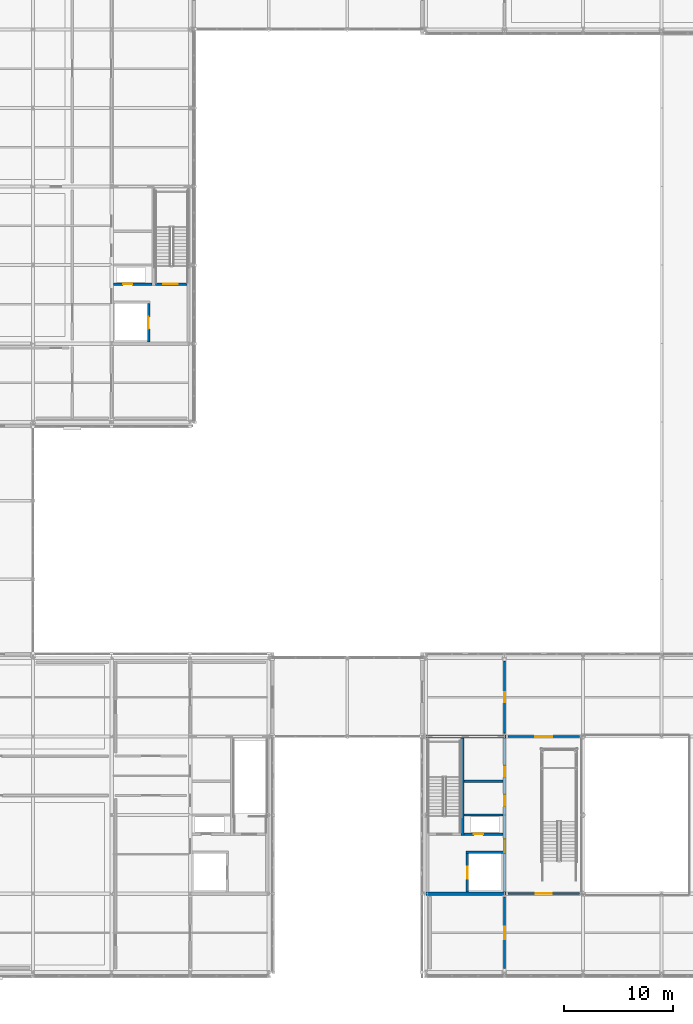
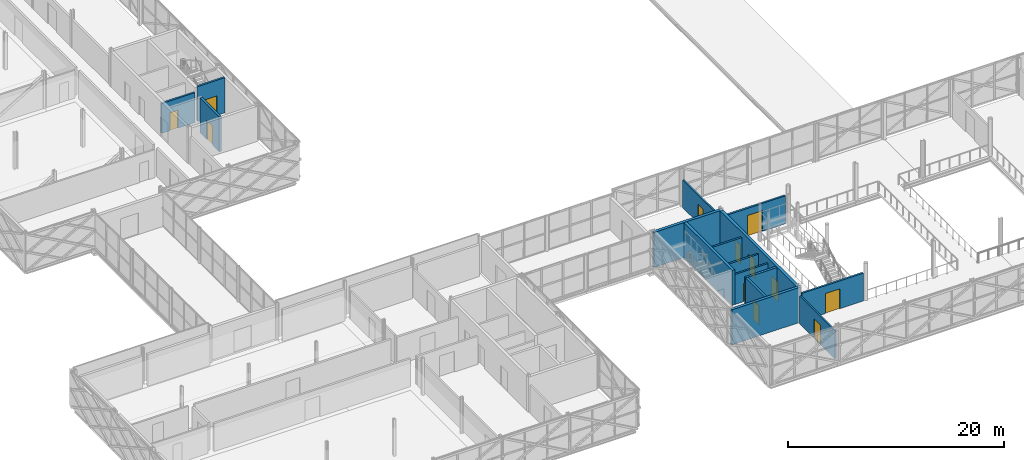
# One storey, part 103 of 126: 16 walls, 12 doors, 12 openings.
"""IFC4 building model written with IfcOpenShell, lengths in metres."""

from ifc_helpers import new_model, si_unit, direction, frame, frame_2d, origin, place, context, subcontext, project, spatial, rectangle, extrude, material, layer, layer_set, type_object, element, fill, save


model = new_model("IFC4")

# Units and contexts
model_context = context("Model", 3, precision=1e-05, world=origin(), true_north=direction((0.0, 1.0)))
body_context = subcontext(model_context, "Body", "Model", "MODEL_VIEW")
ifc_project = project(units=[si_unit("LENGTHUNIT", "METRE"), si_unit("AREAUNIT", "SQUARE_METRE"), si_unit("VOLUMEUNIT", "CUBIC_METRE"), si_unit("PLANEANGLEUNIT", "RADIAN"), si_unit("MASSUNIT", "GRAM", prefix="KILO")], contexts=[model_context])

# Site, building, storey
site_placement = place(None, origin())
site = spatial("IfcSite", under=ifc_project, at=site_placement, CompositionType="ELEMENT")
building_placement = place(site_placement, origin())
building = spatial("IfcBuilding", under=site, at=building_placement, Name="Zlatovets Crest Museum", CompositionType="ELEMENT")
storey_placement = place(building_placement, frame((0.0, 0.0, 8.699951171875)))
storey = spatial("IfcBuildingStorey", under=building, at=storey_placement, Name="L02", CompositionType="ELEMENT", Elevation=8.699951171875)

# Walls
ifc_material_1 = material(Name="Concrete C35/45", Category="concrete")
ifc_layer_1 = layer(ifc_material_1, 0.300048828125)
ifc_layer_set_1 = layer_set([ifc_layer_1], Name="Concrete C35/45")
wall_type_1 = type_object("IfcWallType", Name="CoreWall_SW01", PredefinedType="SHEAR", material=ifc_layer_set_1)
for number, where, z_axis, x_axis, name in (
    (1, (57.60009765625, 7.199951171875, 0.0), (0.0, 0.0, 1.0), (1.0, 0.0, 0.0), "Core C2 L02 South Shear Wall"),
    (2, (57.60009765625, 21.60009765625, 0.0), (0.0, 0.0, 1.0), (1.0, 0.0, 0.0), "Core C2 L02 North Shear Wall"),
):
    element("IfcWall", number, at=place(storey_placement, frame(where, z_axis=z_axis, x_axis=x_axis)), inside=storey, type_object=wall_type_1, Name=name, PredefinedType="SHEAR", context=body_context, shape_type="SweptSolid", body=[
        extrude(rectangle(XDim=7.349853515625, YDim=0.300048828125, at=frame_2d((3.6748046875, 0.0))), origin(), (0.0, 0.0, 1.0), 3.9599609375),
    ])

# Wall, openings, doors
wall_1_placement = place(storey_placement, frame((64.800048828125, 7.35009765625, 0.0), z_axis=(0.0, 0.0, 1.0), x_axis=(0.0, 1.0, 0.0)))
wall_1 = element("IfcWall", 3, at=wall_1_placement, inside=storey, type_object=wall_type_1, Name="Core C2 L02 Spine Shear Wall", PredefinedType="SHEAR", context=body_context, shape_type="SweptSolid", body=[
    extrude(rectangle(XDim=14.099853515625, YDim=0.300048828125, at=frame_2d((7.0498046875, 0.0))), origin(), (0.0, 0.0, 1.0), 3.9599609375),
])
opening_1_placement = place(wall_1_placement, frame((3.550048828125, 0.0, 0.0)))
opening_1 = element("IfcOpeningElement", 4, at=opening_1_placement, cuts=wall_1, Name="Opening FD-01", PredefinedType="OPENING", context=body_context, shape_type="SweptSolid", body=[
    extrude(rectangle(XDim=1.300048828125, YDim=2.199951171875, at=frame_2d((0.64990234375, 1.10009765625))), frame((0.0, 0.16015625, 0.0), z_axis=(0.0, -1.0, 0.0), x_axis=(1.0, 0.0, 0.0)), (0.0, 0.0, 1.0), 0.320068359375),
])
opening_2_placement = place(wall_1_placement, frame((7.85009765625, 0.0, 0.0)))
opening_2 = element("IfcOpeningElement", 5, at=opening_2_placement, cuts=wall_1, Name="Opening ID-02", PredefinedType="OPENING", context=body_context, shape_type="SweptSolid", body=[
    extrude(rectangle(XDim=1.050048828125, YDim=2.14990234375, at=frame_2d((0.52490234375, 1.074951171875))), frame((0.0, 0.16015625, 0.0), z_axis=(0.0, -1.0, 0.0), x_axis=(1.0, 0.0, 0.0)), (0.0, 0.0, 1.0), 0.320068359375),
])
opening_3_placement = place(wall_1_placement, frame((10.550048828125, 0.0, 0.0)))
opening_3 = element("IfcOpeningElement", 6, at=opening_3_placement, cuts=wall_1, Name="Opening ID-01", PredefinedType="OPENING", context=body_context, shape_type="SweptSolid", body=[
    extrude(rectangle(XDim=1.0, YDim=2.14990234375, at=frame_2d((0.5, 1.074951171875))), frame((0.0, 0.16015625, 0.0), z_axis=(0.0, -1.0, 0.0), x_axis=(1.0, 0.0, 0.0)), (0.0, 0.0, 1.0), 0.320068359375),
])
ifc_material_2 = material(Name="Smoke-sealed steel fire door", Category="steel")
door_type_1 = type_object("IfcDoorType", Name="IntDoor_FD-01", OperationType="NOTDEFINED", PredefinedType="DOOR", material=ifc_material_2)
door_1_placement = place(opening_1_placement, origin())
door_1 = element("IfcDoor", 7, at=door_1_placement, inside=storey, type_object=door_type_1, Name="CDOOR-C2-L02-LOB Core C2 L02 Lobby Fire Door", OperationType="SINGLE_SWING_RIGHT", OverallHeight=2.199951171875, OverallWidth=1.300048828125, PredefinedType="DOOR", context=body_context, shape_type="SweptSolid", body=[
    extrude(rectangle(XDim=1.300048828125, YDim=2.199951171875, at=frame_2d((0.64990234375, 1.10009765625))), frame((0.0, 0.02490234375, 0.0), z_axis=(0.0, -1.0, 0.0), x_axis=(1.0, 0.0, 0.0)), (0.0, 0.0, 1.0), 0.050048828125),
])
fill(opening_1, door_1)
ifc_material_3 = material(Name="Solid oak museum room door")
door_type_2 = type_object("IfcDoorType", Name="IntDoor_ID-01", OperationType="NOTDEFINED", PredefinedType="DOOR", material=ifc_material_3)
door_2_placement = place(opening_3_placement, origin())
door_2 = element("IfcDoor", 8, at=door_2_placement, inside=storey, type_object=door_type_2, Name="CDOOR-C2-L02-WC Core C2 L02 Public Restroom Door", OperationType="SINGLE_SWING_RIGHT", OverallHeight=2.14990234375, OverallWidth=1.0, PredefinedType="DOOR", context=body_context, shape_type="SweptSolid", body=[
    extrude(rectangle(XDim=1.0, YDim=2.14990234375, at=frame_2d((0.5, 1.074951171875))), frame((0.0, 0.02490234375, 0.0), z_axis=(0.0, -1.0, 0.0), x_axis=(1.0, 0.0, 0.0)), (0.0, 0.0, 1.0), 0.050048828125),
])
fill(opening_3, door_2)
ifc_material_4 = material(Name="Accessible sanitary room door")
door_type_3 = type_object("IfcDoorType", Name="IntDoor_ID-02", OperationType="NOTDEFINED", PredefinedType="DOOR", material=ifc_material_4)
door_3_placement = place(opening_2_placement, origin())
door_3 = element("IfcDoor", 9, at=door_3_placement, inside=storey, type_object=door_type_3, Name="CDOOR-C2-L02-AWC Core C2 L02 Accessible WC Door", OperationType="SINGLE_SWING_LEFT", OverallHeight=2.14990234375, OverallWidth=1.050048828125, PredefinedType="DOOR", context=body_context, shape_type="SweptSolid", body=[
    extrude(rectangle(XDim=1.050048828125, YDim=2.14990234375, at=frame_2d((0.52490234375, 1.074951171875))), frame((0.0, 0.02490234375, 0.0), z_axis=(0.0, -1.0, 0.0), x_axis=(1.0, 0.0, 0.0)), (0.0, 0.0, 1.0), 0.050048828125),
])
fill(opening_2, door_3)

# Wall
wall_2_placement = place(storey_placement, frame((60.949951171875, 12.5400390625, 0.0), z_axis=(0.0, 0.0, 1.0), x_axis=(0.0, 1.0, 0.0)))
element("IfcWall", 10, at=wall_2_placement, inside=storey, type_object=wall_type_1, Name="Core C2 L02 Stair Divider Wall", PredefinedType="SHEAR", context=body_context, shape_type="SweptSolid", body=[
    extrude(rectangle(XDim=8.909912109375, YDim=0.300048828125, at=frame_2d((4.455078125, 0.0))), origin(), (0.0, 0.0, 1.0), 3.9599609375),
])

# Wall, opening, door
ifc_layer_2 = layer(ifc_material_1, 0.25)
ifc_layer_set_2 = layer_set([ifc_layer_2], Name="Concrete C35/45")
wall_type_2 = type_object("IfcWallType", Name="CoreWall_SW02", PredefinedType="SHEAR", material=ifc_layer_set_2)
wall_3_placement = place(storey_placement, frame((61.39990234375, 7.35009765625, 0.0), z_axis=(0.0, 0.0, 1.0), x_axis=(0.0, 1.0, 0.0)))
wall_3 = element("IfcWall", 11, at=wall_3_placement, inside=storey, type_object=wall_type_2, Name="Core C2 L02 Lift Shaft Wall", PredefinedType="SHEAR", context=body_context, shape_type="SweptSolid", body=[
    extrude(rectangle(XDim=3.52490234375, YDim=0.25, at=frame_2d((1.762451171875, 0.0))), origin(), (0.0, 0.0, 1.0), 3.9599609375),
])
opening_4_placement = place(wall_3_placement, frame((1.199951171875, 0.0, 0.0)))
opening_4 = element("IfcOpeningElement", 12, at=opening_4_placement, cuts=wall_3, Name="Opening LD-01", PredefinedType="OPENING", context=body_context, shape_type="SweptSolid", body=[
    extrude(rectangle(XDim=1.10009765625, YDim=2.14990234375, at=frame_2d((0.550048828125, 1.074951171875))), frame((0.0, 0.135009765625, 0.0), z_axis=(0.0, -1.0, 0.0), x_axis=(1.0, 0.0, 0.0)), (0.0, 0.0, 1.0), 0.27001953125),
])
ifc_material_5 = material(Name="Stainless-bronze sliding lift landing door")
door_type_4 = type_object("IfcDoorType", Name="IntDoor_LD-01", OperationType="SLIDING_TO_LEFT", PredefinedType="DOOR", material=ifc_material_5)
door_4_placement = place(opening_4_placement, origin())
door_4 = element("IfcDoor", 13, at=door_4_placement, inside=storey, type_object=door_type_4, Name="LDOOR-PL3-L02 Lift PL3 L02 Sliding Landing Door", OperationType="SLIDING_TO_LEFT", OverallHeight=2.14990234375, OverallWidth=1.10009765625, PredefinedType="DOOR", context=body_context, shape_type="SweptSolid", body=[
    extrude(rectangle(XDim=1.10009765625, YDim=2.14990234375, at=frame_2d((0.550048828125, 1.074951171875))), frame((0.0, 0.02490234375, 0.0), z_axis=(0.0, -1.0, 0.0), x_axis=(1.0, 0.0, 0.0)), (0.0, 0.0, 1.0), 0.050048828125),
])
fill(opening_4, door_4)

# Wall
wall_4_placement = place(storey_placement, frame((61.27490234375, 11.0, 0.0), z_axis=(0.0, 0.0, 1.0), x_axis=(1.0, 0.0, 0.0)))
element("IfcWall", 14, at=wall_4_placement, inside=storey, type_object=wall_type_2, Name="Core C2 L02 Lift Shaft North Shear Wall", PredefinedType="SHEAR", context=body_context, shape_type="SweptSolid", body=[
    extrude(rectangle(XDim=3.375, YDim=0.25, at=frame_2d((1.6875, 0.0))), origin(), (0.0, 0.0, 1.0), 3.9599609375),
])

# Wall, opening, door
wall_5_placement = place(storey_placement, frame((32.199951171875, 57.75, 0.0), z_axis=(0.0, 0.0, 1.0), x_axis=(0.0, 1.0, 0.0)))
wall_5 = element("IfcWall", 15, at=wall_5_placement, inside=storey, type_object=wall_type_2, Name="Core C4 L02 Lift Shaft Wall", PredefinedType="SHEAR", context=body_context, shape_type="SweptSolid", body=[
    extrude(rectangle(XDim=3.52490234375, YDim=0.25, at=frame_2d((1.762451171875, 0.0))), origin(), (0.0, 0.0, 1.0), 3.9599609375),
])
opening_5_placement = place(wall_5_placement, frame((1.199951171875, 0.0, 0.0)))
opening_5 = element("IfcOpeningElement", 16, at=opening_5_placement, cuts=wall_5, Name="Opening LD-01", PredefinedType="OPENING", context=body_context, shape_type="SweptSolid", body=[
    extrude(rectangle(XDim=1.10009765625, YDim=2.14990234375, at=frame_2d((0.550048828125, 1.074951171875))), frame((0.0, 0.135009765625, 0.0), z_axis=(0.0, -1.0, 0.0), x_axis=(1.0, 0.0, 0.0)), (0.0, 0.0, 1.0), 0.27001953125),
])
door_5_placement = place(opening_5_placement, origin())
door_5 = element("IfcDoor", 17, at=door_5_placement, inside=storey, type_object=door_type_4, Name="LDOOR-PL2-L02 Lift PL2 L02 Sliding Landing Door", OperationType="SLIDING_TO_LEFT", OverallHeight=2.14990234375, OverallWidth=1.10009765625, PredefinedType="DOOR", context=body_context, shape_type="SweptSolid", body=[
    extrude(rectangle(XDim=1.10009765625, YDim=2.14990234375, at=frame_2d((0.550048828125, 1.074951171875))), frame((0.0, 0.02490234375, 0.0), z_axis=(0.0, -1.0, 0.0), x_axis=(1.0, 0.0, 0.0)), (0.0, 0.0, 1.0), 0.050048828125),
])
fill(opening_5, door_5)

wall_6_placement = place(storey_placement, frame((32.800048828125, 63.050048828125, 0.0), z_axis=(0.0, 0.0, 1.0), x_axis=(1.0, 0.0, 0.0)))
wall_6 = element("IfcWall", 18, at=wall_6_placement, inside=storey, type_object=wall_type_2, Name="Core C4 L02 Stairwell Fire Wall", PredefinedType="SHEAR", context=body_context, shape_type="SweptSolid", body=[
    extrude(rectangle(XDim=2.89990234375, YDim=0.219970703125, at=frame_2d((1.449951171875, 0.0))), origin(), (0.0, 0.0, 1.0), 3.9599609375),
])
opening_6_placement = place(wall_6_placement, frame((0.75, 0.0, 0.0)))
opening_6 = element("IfcOpeningElement", 19, at=opening_6_placement, cuts=wall_6, Name="Opening FD-01", PredefinedType="OPENING", context=body_context, shape_type="SweptSolid", body=[
    extrude(rectangle(XDim=1.300048828125, YDim=2.199951171875, at=frame_2d((0.64990234375, 1.10009765625))), frame((0.0, 0.1201171875, 0.0), z_axis=(0.0, -1.0, 0.0), x_axis=(1.0, 0.0, 0.0)), (0.0, 0.0, 1.0), 0.239990234375),
])
door_6_placement = place(opening_6_placement, origin())
door_6 = element("IfcDoor", 20, at=door_6_placement, inside=storey, type_object=door_type_1, Name="SDOOR-ST4-L02 Stair ST4 L02 Fire Door", OperationType="SINGLE_SWING_LEFT", OverallHeight=2.199951171875, OverallWidth=1.300048828125, PredefinedType="DOOR", context=body_context, shape_type="SweptSolid", body=[
    extrude(rectangle(XDim=1.300048828125, YDim=2.199951171875, at=frame_2d((0.64990234375, 1.10009765625))), frame((0.0, 0.02490234375, 0.0), z_axis=(0.0, -1.0, 0.0), x_axis=(1.0, 0.0, 0.0)), (0.0, 0.0, 1.0), 0.050048828125),
])
fill(opening_6, door_6)

ifc_material_6 = material(Name="Gypsum-encased fire compartment partition")
ifc_layer_3 = layer(ifc_material_6, 0.199951171875)
ifc_layer_set_3 = layer_set([ifc_layer_3], Name="Gypsum-encased fire compartment partition")
wall_type_3 = type_object("IfcWallType", Name="PartWall_PT-01", PredefinedType="PARTITIONING", material=ifc_layer_set_3)
wall_7_placement = place(storey_placement, frame((65.1201171875, 7.199951171875, 0.0), z_axis=(0.0, 0.0, 1.0), x_axis=(1.0, 0.0, 0.0)))
wall_7 = element("IfcWall", 21, at=wall_7_placement, inside=storey, type_object=wall_type_3, Name="V2 L02 Interior Partition PT-01", PredefinedType="PARTITIONING", context=body_context, shape_type="SweptSolid", body=[
    extrude(rectangle(XDim=6.559814453125, YDim=0.199951171875, at=frame_2d((3.27978515625, 0.0))), origin(), (0.0, 0.0, 1.0), 3.150146484375),
])
opening_7_placement = place(wall_7_placement, frame((2.530029296875, 0.0, 0.0)))
opening_7 = element("IfcOpeningElement", 22, at=opening_7_placement, cuts=wall_7, Name="Opening FD-02", PredefinedType="OPENING", context=body_context, shape_type="SweptSolid", body=[
    extrude(rectangle(XDim=1.5, YDim=2.25, at=frame_2d((0.75, 1.125))), frame((0.0, 0.10986328125, 0.0), z_axis=(0.0, -1.0, 0.0), x_axis=(1.0, 0.0, 0.0)), (0.0, 0.0, 1.0), 0.219970703125),
])
ifc_material_7 = material(Name="Double corridor compartment fire door")
door_type_5 = type_object("IfcDoorType", Name="IntDoor_FD-02", OperationType="DOUBLE_DOOR_SINGLE_SWING", PredefinedType="DOOR", material=ifc_material_7)
door_7_placement = place(opening_7_placement, origin())
door_7 = element("IfcDoor", 23, at=door_7_placement, inside=storey, type_object=door_type_5, Name="IDOOR-V2-L02-0147 Atrium West Stair Gallery L02 to Decorative Metalwork Gallery Door", OperationType="DOUBLE_DOOR_SINGLE_SWING", OverallHeight=2.25, OverallWidth=1.5, PredefinedType="DOOR", context=body_context, shape_type="SweptSolid", body=[
    extrude(rectangle(XDim=1.5, YDim=2.25, at=frame_2d((0.75, 1.125))), frame((0.0, 0.02490234375, 0.0), z_axis=(0.0, -1.0, 0.0), x_axis=(1.0, 0.0, 0.0)), (0.0, 0.0, 1.0), 0.050048828125),
])
fill(opening_7, door_7)

wall_8_placement = place(storey_placement, frame((65.1201171875, 21.60009765625, 0.0), z_axis=(0.0, 0.0, 1.0), x_axis=(1.0, 0.0, 0.0)))
wall_8 = element("IfcWall", 24, at=wall_8_placement, inside=storey, type_object=wall_type_3, Name="V2 L02 Interior Partition PT-01", PredefinedType="PARTITIONING", context=body_context, shape_type="SweptSolid", body=[
    extrude(rectangle(XDim=6.559814453125, YDim=0.199951171875, at=frame_2d((3.27978515625, 0.0))), origin(), (0.0, 0.0, 1.0), 3.150146484375),
])
opening_8_placement = place(wall_8_placement, frame((2.47998046875, 0.0, 0.0)))
opening_8 = element("IfcOpeningElement", 25, at=opening_8_placement, cuts=wall_8, Name="Opening ID-04", PredefinedType="OPENING", context=body_context, shape_type="SweptSolid", body=[
    extrude(rectangle(XDim=1.60009765625, YDim=2.35009765625, at=frame_2d((0.800048828125, 1.175048828125))), frame((0.0, 0.10986328125, 0.0), z_axis=(0.0, -1.0, 0.0), x_axis=(1.0, 0.0, 0.0)), (0.0, 0.0, 1.0), 0.219970703125),
])
ifc_material_8 = material(Name="Gallery salon double portal door")
door_type_6 = type_object("IfcDoorType", Name="IntDoor_ID-04", OperationType="DOUBLE_DOOR_SINGLE_SWING", PredefinedType="DOOR", material=ifc_material_8)
door_8_placement = place(opening_8_placement, origin())
door_8 = element("IfcDoor", 26, at=door_8_placement, inside=storey, type_object=door_type_6, Name="IDOOR-V2-L02-0148 Atrium West Stair Gallery L02 to Atrium Mezzanine Lounge Door", OperationType="DOUBLE_DOOR_SINGLE_SWING", OverallHeight=2.35009765625, OverallWidth=1.60009765625, PredefinedType="DOOR", context=body_context, shape_type="SweptSolid", body=[
    extrude(rectangle(XDim=1.60009765625, YDim=2.35009765625, at=frame_2d((0.800048828125, 1.175048828125))), frame((0.0, 0.02490234375, 0.0), z_axis=(0.0, -1.0, 0.0), x_axis=(1.0, 0.0, 0.0)), (0.0, 0.0, 1.0), 0.050048828125),
])
fill(opening_8, door_8)

ifc_material_9 = material(Name="Acoustic museum gallery stud partition")
ifc_layer_4 = layer(ifc_material_9, 0.159912109375)
ifc_layer_set_4 = layer_set([ifc_layer_4], Name="Acoustic museum gallery stud partition")
wall_type_4 = type_object("IfcWallType", Name="PartWall_PT-02", PredefinedType="PARTITIONING", material=ifc_layer_set_4)
wall_9_placement = place(storey_placement, frame((64.800048828125, 0.320068359375, 0.0), z_axis=(0.0, 0.0, 1.0), x_axis=(0.0, 1.0, 0.0)))
wall_9 = element("IfcWall", 27, at=wall_9_placement, inside=storey, type_object=wall_type_4, Name="V2 L02 Interior Partition PT-02", PredefinedType="PARTITIONING", context=body_context, shape_type="SweptSolid", body=[
    extrude(rectangle(XDim=6.559814453125, YDim=0.159912109375, at=frame_2d((3.27978515625, 0.0))), origin(), (0.0, 0.0, 1.0), 3.150146484375),
])
opening_9_placement = place(wall_9_placement, frame((2.705078125, 0.0, 0.0)))
opening_9 = element("IfcOpeningElement", 28, at=opening_9_placement, cuts=wall_9, Name="Opening ID-07", PredefinedType="OPENING", context=body_context, shape_type="SweptSolid", body=[
    extrude(rectangle(XDim=1.14990234375, YDim=2.199951171875, at=frame_2d((0.574951171875, 1.10009765625))), frame((0.0, 0.08984375, 0.0), z_axis=(0.0, -1.0, 0.0), x_axis=(1.0, 0.0, 0.0)), (0.0, 0.0, 1.0), 0.179931640625),
])
ifc_material_10 = material(Name="Curatorial study glazed oak door")
door_type_7 = type_object("IfcDoorType", Name="IntDoor_ID-07", OperationType="NOTDEFINED", PredefinedType="DOOR", material=ifc_material_10)
door_9_placement = place(opening_9_placement, origin())
door_9 = element("IfcDoor", 29, at=door_9_placement, inside=storey, type_object=door_type_7, Name="IDOOR-V2-L02-0150 Decorative Metalwork Gallery to West Wing Study L02 Door", OperationType="SINGLE_SWING_LEFT", OverallHeight=2.199951171875, OverallWidth=1.14990234375, PredefinedType="DOOR", context=body_context, shape_type="SweptSolid", body=[
    extrude(rectangle(XDim=1.14990234375, YDim=2.199951171875, at=frame_2d((0.574951171875, 1.10009765625))), frame((0.0, 0.02490234375, 0.0), z_axis=(0.0, -1.0, 0.0), x_axis=(1.0, 0.0, 0.0)), (0.0, 0.0, 1.0), 0.050048828125),
])
fill(opening_9, door_9)

wall_10_placement = place(storey_placement, frame((64.800048828125, 21.919921875, 0.0), z_axis=(0.0, 0.0, 1.0), x_axis=(0.0, 1.0, 0.0)))
wall_10 = element("IfcWall", 30, at=wall_10_placement, inside=storey, type_object=wall_type_4, Name="V2 L02 Interior Partition PT-02", PredefinedType="PARTITIONING", context=body_context, shape_type="SweptSolid", body=[
    extrude(rectangle(XDim=6.56005859375, YDim=0.159912109375, at=frame_2d((3.280029296875, 0.0))), origin(), (0.0, 0.0, 1.0), 3.150146484375),
])
opening_10_placement = place(wall_10_placement, frame((2.804931640625, 0.0, 0.0)))
opening_10 = element("IfcOpeningElement", 31, at=opening_10_placement, cuts=wall_10, Name="Opening ID-09", PredefinedType="OPENING", context=body_context, shape_type="SweptSolid", body=[
    extrude(rectangle(XDim=0.949951171875, YDim=2.10009765625, at=frame_2d((0.47509765625, 1.050048828125))), frame((0.0, 0.08984375, 0.0), z_axis=(0.0, -1.0, 0.0), x_axis=(1.0, 0.0, 0.0)), (0.0, 0.0, 1.0), 0.179931640625),
])
ifc_material_11 = material(Name="Curatorial closet oak door")
door_type_8 = type_object("IfcDoorType", Name="IntDoor_ID-09", OperationType="NOTDEFINED", PredefinedType="DOOR", material=ifc_material_11)
door_10_placement = place(opening_10_placement, origin())
door_10 = element("IfcDoor", 32, at=door_10_placement, inside=storey, type_object=door_type_8, Name="IDOOR-V2-L02-0152 Atrium Mezzanine Lounge to Court Corner Cabinet L02 Door", OperationType="SINGLE_SWING_LEFT", OverallHeight=2.10009765625, OverallWidth=0.949951171875, PredefinedType="DOOR", context=body_context, shape_type="SweptSolid", body=[
    extrude(rectangle(XDim=0.949951171875, YDim=2.10009765625, at=frame_2d((0.47509765625, 1.050048828125))), frame((0.0, 0.02490234375, 0.0), z_axis=(0.0, -1.0, 0.0), x_axis=(1.0, 0.0, 0.0)), (0.0, 0.0, 1.0), 0.050048828125),
])
fill(opening_10, door_10)

ifc_material_12 = material(Name="Sanitary core acoustic service wall")
ifc_layer_5 = layer(ifc_material_12, 0.219970703125)
ifc_layer_set_5 = layer_set([ifc_layer_5], Name="Sanitary core acoustic service wall")
wall_type_5 = type_object("IfcWallType", Name="PartWall_PT-04", PredefinedType="PLUMBINGWALL", material=ifc_layer_set_5)
wall_11_placement = place(storey_placement, frame((61.10009765625, 12.64990234375, 0.0), z_axis=(0.0, 0.0, 1.0), x_axis=(1.0, 0.0, 0.0)))
wall_11 = element("IfcWall", 33, at=wall_11_placement, inside=storey, type_object=wall_type_5, Name="Core C2 L02 Riser Lobby Wall", PredefinedType="PLUMBINGWALL", context=body_context, shape_type="SweptSolid", body=[
    extrude(rectangle(XDim=3.5498046875, YDim=0.199951171875, at=frame_2d((1.77490234375, 0.0))), origin(), (0.0, 0.0, 1.0), 3.380126953125),
])
opening_11_placement = place(wall_11_placement, frame((0.89990234375, 0.0, 0.0)))
opening_11 = element("IfcOpeningElement", 34, at=opening_11_placement, cuts=wall_11, Name="Opening FD-03", PredefinedType="OPENING", context=body_context, shape_type="SweptSolid", body=[
    extrude(rectangle(XDim=0.85009765625, YDim=2.050048828125, at=frame_2d((0.425048828125, 1.02490234375))), frame((0.0, 0.10986328125, 0.0), z_axis=(0.0, -1.0, 0.0), x_axis=(1.0, 0.0, 0.0)), (0.0, 0.0, 1.0), 0.219970703125),
])
ifc_material_13 = material(Name="Steel riser shaft access fire door", Category="steel")
door_type_9 = type_object("IfcDoorType", Name="IntDoor_FD-03", OperationType="NOTDEFINED", PredefinedType="TRAPDOOR", material=ifc_material_13)
door_11_placement = place(opening_11_placement, origin())
door_11 = element("IfcDoor", 35, at=door_11_placement, inside=storey, type_object=door_type_9, Name="CDOOR-C2-L02-RIS Core C2 L02 Riser Access Door", OperationType="SINGLE_SWING_RIGHT", OverallHeight=2.050048828125, OverallWidth=0.85009765625, PredefinedType="TRAPDOOR", context=body_context, shape_type="SweptSolid", body=[
    extrude(rectangle(XDim=0.85009765625, YDim=2.050048828125, at=frame_2d((0.425048828125, 1.02490234375))), frame((0.0, 0.02490234375, 0.0), z_axis=(0.0, -1.0, 0.0), x_axis=(1.0, 0.0, 0.0)), (0.0, 0.0, 1.0), 0.050048828125),
])
fill(opening_11, door_11)

# Walls
for number, where, z_axis, x_axis, name in (
    (36, (61.10009765625, 14.39990234375, 0.0), (0.0, 0.0, 1.0), (1.0, 0.0, 0.0), "Core C2 L02 Sanitary Divider"),
    (37, (61.10009765625, 17.5, 0.0), (0.0, 0.0, 1.0), (1.0, 0.0, 0.0), "Core C2 L02 Sanitary Divider"),
):
    element("IfcWall", number, at=place(storey_placement, frame(where, z_axis=z_axis, x_axis=x_axis)), inside=storey, type_object=wall_type_5, Name=name, PredefinedType="PLUMBINGWALL", context=body_context, shape_type="SweptSolid", body=[
        extrude(rectangle(XDim=3.5498046875, YDim=0.199951171875, at=frame_2d((1.77490234375, 0.0))), origin(), (0.0, 0.0, 1.0), 3.380126953125),
    ])

# Wall, opening, door
wall_12_placement = place(storey_placement, frame((28.949951171875, 63.050048828125, 0.0), z_axis=(0.0, 0.0, 1.0), x_axis=(1.0, 0.0, 0.0)))
wall_12 = element("IfcWall", 38, at=wall_12_placement, inside=storey, type_object=wall_type_5, Name="Core C4 L02 Riser Lobby Wall", PredefinedType="PLUMBINGWALL", context=body_context, shape_type="SweptSolid", body=[
    extrude(rectangle(XDim=3.550048828125, YDim=0.199951171875, at=frame_2d((1.77490234375, 0.0))), origin(), (0.0, 0.0, 1.0), 3.380126953125),
])
opening_12_placement = place(wall_12_placement, frame((0.89990234375, 0.0, 0.0)))
opening_12 = element("IfcOpeningElement", 39, at=opening_12_placement, cuts=wall_12, Name="Opening FD-03", PredefinedType="OPENING", context=body_context, shape_type="SweptSolid", body=[
    extrude(rectangle(XDim=0.85009765625, YDim=2.050048828125, at=frame_2d((0.425048828125, 1.02490234375))), frame((0.0, 0.10986328125, 0.0), z_axis=(0.0, -1.0, 0.0), x_axis=(1.0, 0.0, 0.0)), (0.0, 0.0, 1.0), 0.219970703125),
])
door_12_placement = place(opening_12_placement, origin())
door_12 = element("IfcDoor", 40, at=door_12_placement, inside=storey, type_object=door_type_9, Name="CDOOR-C4-L02-RIS Core C4 L02 Riser Access Door", OperationType="SINGLE_SWING_RIGHT", OverallHeight=2.050048828125, OverallWidth=0.85009765625, PredefinedType="TRAPDOOR", context=body_context, shape_type="SweptSolid", body=[
    extrude(rectangle(XDim=0.85009765625, YDim=2.050048828125, at=frame_2d((0.425048828125, 1.02490234375))), frame((0.0, 0.02490234375, 0.0), z_axis=(0.0, -1.0, 0.0), x_axis=(1.0, 0.0, 0.0)), (0.0, 0.0, 1.0), 0.050048828125),
])
fill(opening_12, door_12)

save(model, "model.ifc")
